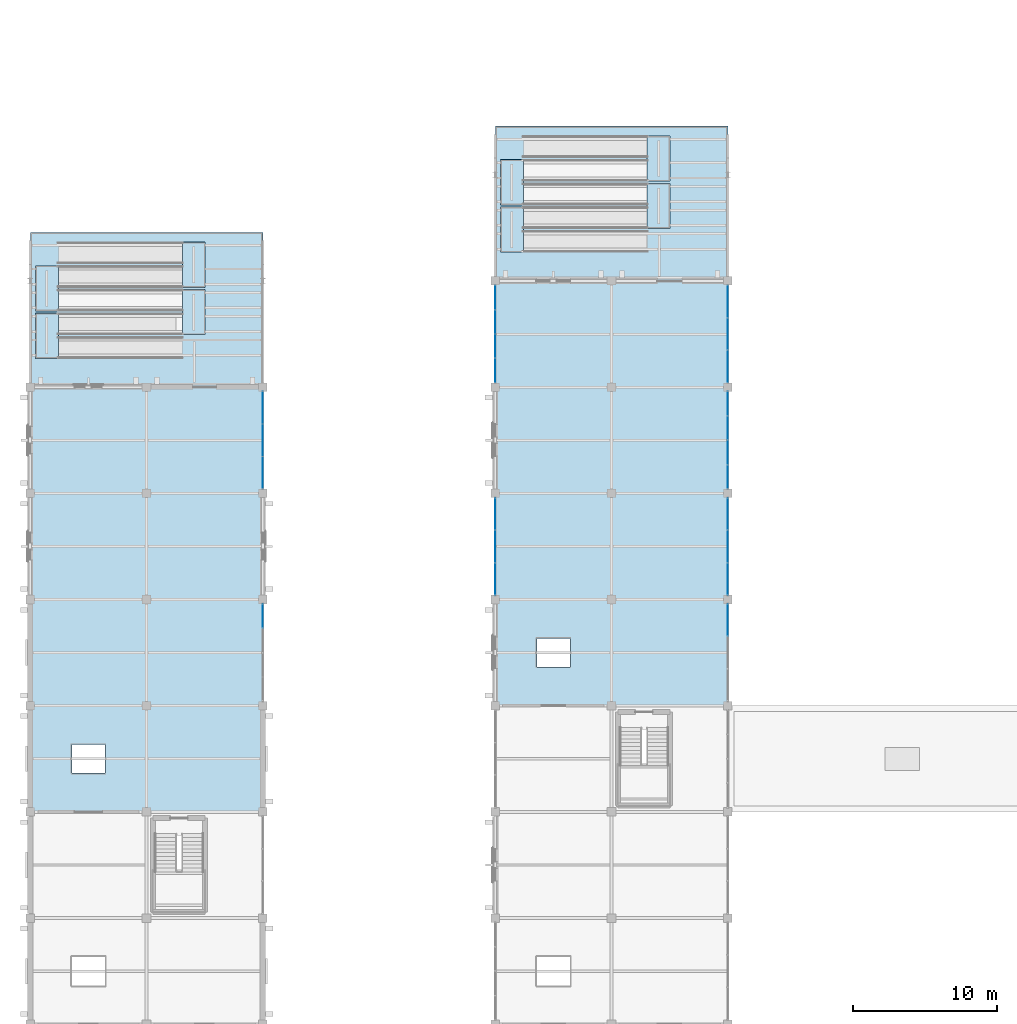
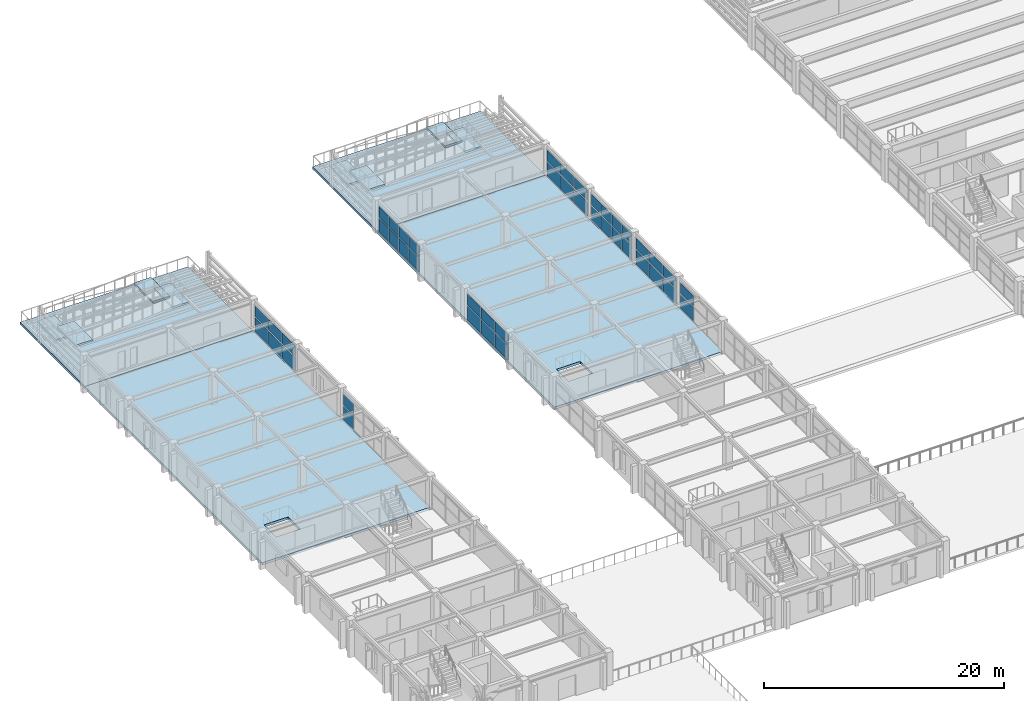
# One storey, part 96 of 121: 44 plates, 12 slabs, 8 elements without a shape of their own.
"""IFC4 building model written with IfcOpenShell, lengths in metres."""

from ifc_helpers import new_model, si_unit, direction, frame, origin, origin_2d, place, context, subcontext, project, spatial, polyline, rectangle, outline, extrude, material, layer, layer_set, type_object, element, aggregate, save


model = new_model("IFC4")

# Units and contexts
model_context = context("Model", 3, precision=1e-05, world=origin(), true_north=direction((0.0, 1.0)))
body_context = subcontext(model_context, "Body", "Model", "MODEL_VIEW")
ifc_project = project(units=[si_unit("LENGTHUNIT", "METRE"), si_unit("AREAUNIT", "SQUARE_METRE"), si_unit("VOLUMEUNIT", "CUBIC_METRE"), si_unit("PLANEANGLEUNIT", "RADIAN"), si_unit("MASSUNIT", "GRAM", prefix="KILO")], contexts=[model_context])

# Site, building, storey
site_placement = place(None, origin())
site = spatial("IfcSite", under=ifc_project, at=site_placement, CompositionType="ELEMENT")
building_placement = place(site_placement, origin())
building = spatial("IfcBuilding", under=site, at=building_placement, Name="Cimatlan Art Gallery", CompositionType="ELEMENT")
storey_placement = place(building_placement, frame((0.0, 0.0, 10.199951171875)))
storey = spatial("IfcBuildingStorey", under=building, at=storey_placement, Name="L02", CompositionType="ELEMENT", Elevation=10.199951171875)

# Curtain wall, plate
ifc_material_1 = material(Name="Anodised bronze unitised curtain wall")
curtain_wall_type_1 = type_object("IfcCurtainWallType", Name="CW-V-06792X02823-B4", PredefinedType="NOTDEFINED", material=ifc_material_1)
curtain_wall_1_placement = place(storey_placement, origin())
curtain_wall_1 = element("IfcCurtainWall", 1, at=curtain_wall_1_placement, inside=storey, type_object=curtain_wall_type_1, Name="CW-L02-01-08-E", PredefinedType="NOTDEFINED")
ifc_material_2 = material(Name="Low-E insulated double glazing", Category="glass")
ifc_layer_1 = layer(ifc_material_2, 0.028076171875)
ifc_layer_set_1 = layer_set([ifc_layer_1], Name="Low-E insulated double glazing")
plate_type_1 = type_object("IfcPlateType", Name="PNL-1640X1058", PredefinedType="CURTAIN_PANEL", material=ifc_layer_set_1)
plate_1_placement = place(storey_placement, frame((18.199951171875, 67.14697265625, 1.64306640625), z_axis=(0.0, 0.0, 1.0), x_axis=(0.0, -1.0, 0.0)))
plate_1 = element("IfcPlate", 2, at=plate_1_placement, type_object=plate_type_1, Name="CW-L02-01-08-E-P12", PredefinedType="CURTAIN_PANEL", context=body_context, shape_type="SweptSolid", body=[
    extrude(rectangle(XDim=1.639892578125, YDim=0.028076171875, at=origin_2d()), origin(), (0.0, 0.0, 1.0), 1.05810546875),
])

# Curtain wall, plates
curtain_wall_2_placement = place(storey_placement, origin())
curtain_wall_2 = element("IfcCurtainWall", 3, at=curtain_wall_2_placement, inside=storey, type_object=curtain_wall_type_1, Name="CW-L02-04-11-W", PredefinedType="NOTDEFINED")
plate_2_placement = place(storey_placement, frame((34.39990234375, 84.2529296875, 1.64306640625), z_axis=(0.0, 0.0, 1.0), x_axis=(0.0, 1.0, 0.0)))
plate_2 = element("IfcPlate", 4, at=plate_2_placement, type_object=plate_type_1, Name="CW-L02-04-11-W-P12", PredefinedType="CURTAIN_PANEL", context=body_context, shape_type="SweptSolid", body=[
    extrude(rectangle(XDim=1.639892578125, YDim=0.028076171875, at=origin_2d()), origin(), (0.0, 0.0, 1.0), 1.05810546875),
])
plate_3_placement = place(storey_placement, frame((34.39990234375, 85.950927734375, 1.64306640625), z_axis=(0.0, 0.0, 1.0), x_axis=(0.0, 1.0, 0.0)))
plate_3 = element("IfcPlate", 5, at=plate_3_placement, type_object=plate_type_1, Name="CW-L02-04-11-W-P22", PredefinedType="CURTAIN_PANEL", context=body_context, shape_type="SweptSolid", body=[
    extrude(rectangle(XDim=1.639892578125, YDim=0.028076171875, at=origin_2d()), origin(), (0.0, 0.0, 1.0), 1.05810546875),
])
plate_4_placement = place(storey_placement, frame((34.39990234375, 87.64892578125, 1.64306640625), z_axis=(0.0, 0.0, 1.0), x_axis=(0.0, 1.0, 0.0)))
plate_4 = element("IfcPlate", 6, at=plate_4_placement, type_object=plate_type_1, Name="CW-L02-04-11-W-P32", PredefinedType="CURTAIN_PANEL", context=body_context, shape_type="SweptSolid", body=[
    extrude(rectangle(XDim=1.639892578125, YDim=0.028076171875, at=origin_2d()), origin(), (0.0, 0.0, 1.0), 1.05810546875),
])
plate_5_placement = place(storey_placement, frame((34.39990234375, 89.346923828125, 1.64306640625), z_axis=(0.0, 0.0, 1.0), x_axis=(0.0, 1.0, 0.0)))
plate_5 = element("IfcPlate", 7, at=plate_5_placement, type_object=plate_type_1, Name="CW-L02-04-11-W-P42", PredefinedType="CURTAIN_PANEL", context=body_context, shape_type="SweptSolid", body=[
    extrude(rectangle(XDim=1.639892578125, YDim=0.028076171875, at=origin_2d()), origin(), (0.0, 0.0, 1.0), 1.05810546875),
])

curtain_wall_type_2 = type_object("IfcCurtainWallType", Name="CW-V-06792X02883-B4", PredefinedType="NOTDEFINED", material=ifc_material_1)
curtain_wall_3_placement = place(storey_placement, origin())
curtain_wall_3 = element("IfcCurtainWall", 8, at=curtain_wall_3_placement, inside=storey, type_object=curtain_wall_type_2, Name="CW-L02-05-10-E", PredefinedType="NOTDEFINED")
ifc_layer_2 = layer(ifc_material_2, 0.028076171875)
ifc_layer_set_2 = layer_set([ifc_layer_2], Name="Low-E insulated double glazing")
plate_type_2 = type_object("IfcPlateType", Name="PNL-1640X1085", PredefinedType="CURTAIN_PANEL", material=ifc_layer_set_2)
plate_6_placement = place(storey_placement, frame((50.60009765625, 81.947021484375, 1.67626953125), z_axis=(0.0, 0.0, 1.0), x_axis=(0.0, -1.0, 0.0)))
plate_6 = element("IfcPlate", 9, at=plate_6_placement, type_object=plate_type_2, Name="CW-L02-05-10-E-P12", PredefinedType="CURTAIN_PANEL", context=body_context, shape_type="SweptSolid", body=[
    extrude(rectangle(XDim=1.639892578125, YDim=0.028076171875, at=origin_2d()), origin(), (0.0, 0.0, 1.0), 1.0849609375),
])
plate_7_placement = place(storey_placement, frame((50.60009765625, 80.2490234375, 1.67626953125), z_axis=(0.0, 0.0, 1.0), x_axis=(0.0, -1.0, 0.0)))
plate_7 = element("IfcPlate", 10, at=plate_7_placement, type_object=plate_type_2, Name="CW-L02-05-10-E-P22", PredefinedType="CURTAIN_PANEL", context=body_context, shape_type="SweptSolid", body=[
    extrude(rectangle(XDim=1.639892578125, YDim=0.028076171875, at=origin_2d()), origin(), (0.0, 0.0, 1.0), 1.0849609375),
])
plate_8_placement = place(storey_placement, frame((50.60009765625, 78.551025390625, 1.67626953125), z_axis=(0.0, 0.0, 1.0), x_axis=(0.0, -1.0, 0.0)))
plate_8 = element("IfcPlate", 11, at=plate_8_placement, type_object=plate_type_2, Name="CW-L02-05-10-E-P32", PredefinedType="CURTAIN_PANEL", context=body_context, shape_type="SweptSolid", body=[
    extrude(rectangle(XDim=1.639892578125, YDim=0.028076171875, at=origin_2d()), origin(), (0.0, 0.0, 1.0), 1.0849609375),
])
plate_9_placement = place(storey_placement, frame((50.60009765625, 76.85302734375, 1.67626953125), z_axis=(0.0, 0.0, 1.0), x_axis=(0.0, -1.0, 0.0)))
plate_9 = element("IfcPlate", 12, at=plate_9_placement, type_object=plate_type_2, Name="CW-L02-05-10-E-P42", PredefinedType="CURTAIN_PANEL", context=body_context, shape_type="SweptSolid", body=[
    extrude(rectangle(XDim=1.639892578125, YDim=0.028076171875, at=origin_2d()), origin(), (0.0, 0.0, 1.0), 1.0849609375),
])

# Plate
ifc_layer_3 = layer(ifc_material_2, 0.028076171875)
ifc_layer_set_3 = layer_set([ifc_layer_3], Name="Low-E insulated double glazing")
plate_type_3 = type_object("IfcPlateType", Name="PNL-1640X1397", PredefinedType="CURTAIN_PANEL", material=ifc_layer_set_3)
plate_10_placement = place(storey_placement, frame((18.199951171875, 67.14697265625, 0.1220703125), z_axis=(0.0, 0.0, 1.0), x_axis=(0.0, -1.0, 0.0)))
plate_10 = element("IfcPlate", 13, at=plate_10_placement, type_object=plate_type_3, Name="CW-L02-01-08-E-P11", PredefinedType="CURTAIN_PANEL", context=body_context, shape_type="SweptSolid", body=[
    extrude(rectangle(XDim=1.639892578125, YDim=0.028076171875, at=origin_2d()), origin(), (0.0, 0.0, 1.0), 1.39697265625),
])

aggregate(curtain_wall_1, [plate_10, plate_1])

plate_11_placement = place(storey_placement, frame((34.39990234375, 84.2529296875, 0.1220703125), z_axis=(0.0, 0.0, 1.0), x_axis=(0.0, 1.0, 0.0)))
plate_11 = element("IfcPlate", 14, at=plate_11_placement, type_object=plate_type_3, Name="CW-L02-04-11-W-P11", PredefinedType="CURTAIN_PANEL", context=body_context, shape_type="SweptSolid", body=[
    extrude(rectangle(XDim=1.639892578125, YDim=0.028076171875, at=origin_2d()), origin(), (0.0, 0.0, 1.0), 1.39697265625),
])

plate_12_placement = place(storey_placement, frame((34.39990234375, 85.950927734375, 0.1220703125), z_axis=(0.0, 0.0, 1.0), x_axis=(0.0, 1.0, 0.0)))
plate_12 = element("IfcPlate", 15, at=plate_12_placement, type_object=plate_type_3, Name="CW-L02-04-11-W-P21", PredefinedType="CURTAIN_PANEL", context=body_context, shape_type="SweptSolid", body=[
    extrude(rectangle(XDim=1.639892578125, YDim=0.028076171875, at=origin_2d()), origin(), (0.0, 0.0, 1.0), 1.39697265625),
])

plate_13_placement = place(storey_placement, frame((34.39990234375, 87.64892578125, 0.1220703125), z_axis=(0.0, 0.0, 1.0), x_axis=(0.0, 1.0, 0.0)))
plate_13 = element("IfcPlate", 16, at=plate_13_placement, type_object=plate_type_3, Name="CW-L02-04-11-W-P31", PredefinedType="CURTAIN_PANEL", context=body_context, shape_type="SweptSolid", body=[
    extrude(rectangle(XDim=1.639892578125, YDim=0.028076171875, at=origin_2d()), origin(), (0.0, 0.0, 1.0), 1.39697265625),
])

plate_14_placement = place(storey_placement, frame((34.39990234375, 89.346923828125, 0.1220703125), z_axis=(0.0, 0.0, 1.0), x_axis=(0.0, 1.0, 0.0)))
plate_14 = element("IfcPlate", 17, at=plate_14_placement, type_object=plate_type_3, Name="CW-L02-04-11-W-P41", PredefinedType="CURTAIN_PANEL", context=body_context, shape_type="SweptSolid", body=[
    extrude(rectangle(XDim=1.639892578125, YDim=0.028076171875, at=origin_2d()), origin(), (0.0, 0.0, 1.0), 1.39697265625),
])

aggregate(curtain_wall_2, [plate_11, plate_2, plate_12, plate_3, plate_13, plate_4, plate_14, plate_5])

ifc_layer_4 = layer(ifc_material_2, 0.028076171875)
ifc_layer_set_4 = layer_set([ifc_layer_4], Name="Low-E insulated double glazing")
plate_type_4 = type_object("IfcPlateType", Name="PNL-1640X1431", PredefinedType="CURTAIN_PANEL", material=ifc_layer_set_4)
plate_15_placement = place(storey_placement, frame((50.60009765625, 81.947021484375, 0.1220703125), z_axis=(0.0, 0.0, 1.0), x_axis=(0.0, -1.0, 0.0)))
plate_15 = element("IfcPlate", 18, at=plate_15_placement, type_object=plate_type_4, Name="CW-L02-05-10-E-P11", PredefinedType="CURTAIN_PANEL", context=body_context, shape_type="SweptSolid", body=[
    extrude(rectangle(XDim=1.639892578125, YDim=0.028076171875, at=origin_2d()), origin(), (0.0, 0.0, 1.0), 1.430908203125),
])

plate_16_placement = place(storey_placement, frame((50.60009765625, 80.2490234375, 0.1220703125), z_axis=(0.0, 0.0, 1.0), x_axis=(0.0, -1.0, 0.0)))
plate_16 = element("IfcPlate", 19, at=plate_16_placement, type_object=plate_type_4, Name="CW-L02-05-10-E-P21", PredefinedType="CURTAIN_PANEL", context=body_context, shape_type="SweptSolid", body=[
    extrude(rectangle(XDim=1.639892578125, YDim=0.028076171875, at=origin_2d()), origin(), (0.0, 0.0, 1.0), 1.430908203125),
])

plate_17_placement = place(storey_placement, frame((50.60009765625, 78.551025390625, 0.1220703125), z_axis=(0.0, 0.0, 1.0), x_axis=(0.0, -1.0, 0.0)))
plate_17 = element("IfcPlate", 20, at=plate_17_placement, type_object=plate_type_4, Name="CW-L02-05-10-E-P31", PredefinedType="CURTAIN_PANEL", context=body_context, shape_type="SweptSolid", body=[
    extrude(rectangle(XDim=1.639892578125, YDim=0.028076171875, at=origin_2d()), origin(), (0.0, 0.0, 1.0), 1.430908203125),
])

plate_18_placement = place(storey_placement, frame((50.60009765625, 76.85302734375, 0.1220703125), z_axis=(0.0, 0.0, 1.0), x_axis=(0.0, -1.0, 0.0)))
plate_18 = element("IfcPlate", 21, at=plate_18_placement, type_object=plate_type_4, Name="CW-L02-05-10-E-P41", PredefinedType="CURTAIN_PANEL", context=body_context, shape_type="SweptSolid", body=[
    extrude(rectangle(XDim=1.639892578125, YDim=0.028076171875, at=origin_2d()), origin(), (0.0, 0.0, 1.0), 1.430908203125),
])

aggregate(curtain_wall_3, [plate_15, plate_6, plate_16, plate_7, plate_17, plate_8, plate_18, plate_9])

# Curtain wall, plate
curtain_wall_type_3 = type_object("IfcCurtainWallType", Name="CW-V-06792X02823-B3", PredefinedType="NOTDEFINED", material=ifc_material_1)
curtain_wall_4_placement = place(storey_placement, origin())
curtain_wall_4 = element("IfcCurtainWall", 22, at=curtain_wall_4_placement, inside=storey, type_object=curtain_wall_type_3, Name="CW-L02-05-08-E", PredefinedType="NOTDEFINED")
ifc_layer_5 = layer(ifc_material_2, 0.028076171875)
ifc_layer_set_5 = layer_set([ifc_layer_5], Name="Low-E insulated double glazing")
plate_type_5 = type_object("IfcPlateType", Name="PNL-2206X1058", PredefinedType="CURTAIN_PANEL", material=ifc_layer_set_5)
plate_19_placement = place(storey_placement, frame((50.60009765625, 66.864013671875, 1.64306640625), z_axis=(0.0, 0.0, 1.0), x_axis=(0.0, -1.0, 0.0)))
plate_19 = element("IfcPlate", 23, at=plate_19_placement, type_object=plate_type_5, Name="CW-L02-05-08-E-P12", PredefinedType="CURTAIN_PANEL", context=body_context, shape_type="SweptSolid", body=[
    extrude(rectangle(XDim=2.2060546875, YDim=0.028076171875, at=origin_2d()), origin(), (0.0, 0.0, 1.0), 1.05810546875),
])

# Curtain wall, plates
curtain_wall_type_4 = type_object("IfcCurtainWallType", Name="CW-V-06792X02853-B3", PredefinedType="NOTDEFINED", material=ifc_material_1)
curtain_wall_5_placement = place(storey_placement, origin())
curtain_wall_5 = element("IfcCurtainWall", 24, at=curtain_wall_5_placement, inside=storey, type_object=curtain_wall_type_4, Name="CW-L02-04-09-W", PredefinedType="NOTDEFINED")
ifc_layer_6 = layer(ifc_material_2, 0.028076171875)
ifc_layer_set_6 = layer_set([ifc_layer_6], Name="Low-E insulated double glazing")
plate_type_6 = type_object("IfcPlateType", Name="PNL-2206X1071", PredefinedType="CURTAIN_PANEL", material=ifc_layer_set_6)
plate_20_placement = place(storey_placement, frame((34.39990234375, 69.736083984375, 1.65966796875), z_axis=(0.0, 0.0, 1.0), x_axis=(0.0, 1.0, 0.0)))
plate_20 = element("IfcPlate", 25, at=plate_20_placement, type_object=plate_type_6, Name="CW-L02-04-09-W-P12", PredefinedType="CURTAIN_PANEL", context=body_context, shape_type="SweptSolid", body=[
    extrude(rectangle(XDim=2.2060546875, YDim=0.028076171875, at=origin_2d()), origin(), (0.0, 0.0, 1.0), 1.071044921875),
])
plate_21_placement = place(storey_placement, frame((34.39990234375, 72.0, 1.65966796875), z_axis=(0.0, 0.0, 1.0), x_axis=(0.0, 1.0, 0.0)))
plate_21 = element("IfcPlate", 26, at=plate_21_placement, type_object=plate_type_6, Name="CW-L02-04-09-W-P22", PredefinedType="CURTAIN_PANEL", context=body_context, shape_type="SweptSolid", body=[
    extrude(rectangle(XDim=2.2060546875, YDim=0.028076171875, at=origin_2d()), origin(), (0.0, 0.0, 1.0), 1.071044921875),
])
plate_22_placement = place(storey_placement, frame((34.39990234375, 74.263916015625, 1.65966796875), z_axis=(0.0, 0.0, 1.0), x_axis=(0.0, 1.0, 0.0)))
plate_22 = element("IfcPlate", 27, at=plate_22_placement, type_object=plate_type_6, Name="CW-L02-04-09-W-P32", PredefinedType="CURTAIN_PANEL", context=body_context, shape_type="SweptSolid", body=[
    extrude(rectangle(XDim=2.2060546875, YDim=0.028076171875, at=origin_2d()), origin(), (0.0, 0.0, 1.0), 1.071044921875),
])

curtain_wall_type_5 = type_object("IfcCurtainWallType", Name="CW-V-06792X02868-B3", PredefinedType="NOTDEFINED", material=ifc_material_1)
curtain_wall_6_placement = place(storey_placement, origin())
curtain_wall_6 = element("IfcCurtainWall", 28, at=curtain_wall_6_placement, inside=storey, type_object=curtain_wall_type_5, Name="CW-L02-05-11-E", PredefinedType="NOTDEFINED")
ifc_layer_7 = layer(ifc_material_2, 0.028076171875)
ifc_layer_set_7 = layer_set([ifc_layer_7], Name="Low-E insulated double glazing")
plate_type_7 = type_object("IfcPlateType", Name="PNL-2206X1078", PredefinedType="CURTAIN_PANEL", material=ifc_layer_set_7)
plate_23_placement = place(storey_placement, frame((50.60009765625, 89.06396484375, 1.66796875), z_axis=(0.0, 0.0, 1.0), x_axis=(0.0, -1.0, 0.0)))
plate_23 = element("IfcPlate", 29, at=plate_23_placement, type_object=plate_type_7, Name="CW-L02-05-11-E-P12", PredefinedType="CURTAIN_PANEL", context=body_context, shape_type="SweptSolid", body=[
    extrude(rectangle(XDim=2.2060546875, YDim=0.028076171875, at=origin_2d()), origin(), (0.0, 0.0, 1.0), 1.077880859375),
])
plate_24_placement = place(storey_placement, frame((50.60009765625, 86.800048828125, 1.66796875), z_axis=(0.0, 0.0, 1.0), x_axis=(0.0, -1.0, 0.0)))
plate_24 = element("IfcPlate", 30, at=plate_24_placement, type_object=plate_type_7, Name="CW-L02-05-11-E-P22", PredefinedType="CURTAIN_PANEL", context=body_context, shape_type="SweptSolid", body=[
    extrude(rectangle(XDim=2.2060546875, YDim=0.028076171875, at=origin_2d()), origin(), (0.0, 0.0, 1.0), 1.077880859375),
])
plate_25_placement = place(storey_placement, frame((50.60009765625, 84.535888671875, 1.66796875), z_axis=(0.0, 0.0, 1.0), x_axis=(0.0, -1.0, 0.0)))
plate_25 = element("IfcPlate", 31, at=plate_25_placement, type_object=plate_type_7, Name="CW-L02-05-11-E-P32", PredefinedType="CURTAIN_PANEL", context=body_context, shape_type="SweptSolid", body=[
    extrude(rectangle(XDim=2.2060546875, YDim=0.028076171875, at=origin_2d()), origin(), (0.0, 0.0, 1.0), 1.077880859375),
])

curtain_wall_type_6 = type_object("IfcCurtainWallType", Name="CW-V-06792X02883-B3", PredefinedType="NOTDEFINED", material=ifc_material_1)
curtain_wall_7_placement = place(storey_placement, origin())
curtain_wall_7 = element("IfcCurtainWall", 32, at=curtain_wall_7_placement, inside=storey, type_object=curtain_wall_type_6, Name="CW-L02-01-10-E", PredefinedType="NOTDEFINED")
ifc_layer_8 = layer(ifc_material_2, 0.028076171875)
ifc_layer_set_8 = layer_set([ifc_layer_8], Name="Low-E insulated double glazing")
plate_type_8 = type_object("IfcPlateType", Name="PNL-2206X1085", PredefinedType="CURTAIN_PANEL", material=ifc_layer_set_8)
plate_26_placement = place(storey_placement, frame((18.199951171875, 81.6640625, 1.67626953125), z_axis=(0.0, 0.0, 1.0), x_axis=(0.0, -1.0, 0.0)))
plate_26 = element("IfcPlate", 33, at=plate_26_placement, type_object=plate_type_8, Name="CW-L02-01-10-E-P12", PredefinedType="CURTAIN_PANEL", context=body_context, shape_type="SweptSolid", body=[
    extrude(rectangle(XDim=2.2060546875, YDim=0.028076171875, at=origin_2d()), origin(), (0.0, 0.0, 1.0), 1.0849609375),
])
plate_27_placement = place(storey_placement, frame((18.199951171875, 79.39990234375, 1.67626953125), z_axis=(0.0, 0.0, 1.0), x_axis=(0.0, -1.0, 0.0)))
plate_27 = element("IfcPlate", 34, at=plate_27_placement, type_object=plate_type_8, Name="CW-L02-01-10-E-P22", PredefinedType="CURTAIN_PANEL", context=body_context, shape_type="SweptSolid", body=[
    extrude(rectangle(XDim=2.2060546875, YDim=0.028076171875, at=origin_2d()), origin(), (0.0, 0.0, 1.0), 1.0849609375),
])
plate_28_placement = place(storey_placement, frame((18.199951171875, 77.135986328125, 1.67626953125), z_axis=(0.0, 0.0, 1.0), x_axis=(0.0, -1.0, 0.0)))
plate_28 = element("IfcPlate", 35, at=plate_28_placement, type_object=plate_type_8, Name="CW-L02-01-10-E-P32", PredefinedType="CURTAIN_PANEL", context=body_context, shape_type="SweptSolid", body=[
    extrude(rectangle(XDim=2.2060546875, YDim=0.028076171875, at=origin_2d()), origin(), (0.0, 0.0, 1.0), 1.0849609375),
])

curtain_wall_type_7 = type_object("IfcCurtainWallType", Name="CW-V-06792X02898-B3", PredefinedType="NOTDEFINED", material=ifc_material_1)
curtain_wall_8_placement = place(storey_placement, origin())
curtain_wall_8 = element("IfcCurtainWall", 36, at=curtain_wall_8_placement, inside=storey, type_object=curtain_wall_type_7, Name="CW-L02-05-09-E", PredefinedType="NOTDEFINED")
ifc_layer_9 = layer(ifc_material_2, 0.028076171875)
ifc_layer_set_9 = layer_set([ifc_layer_9], Name="Low-E insulated double glazing")
plate_type_9 = type_object("IfcPlateType", Name="PNL-2206X1091", PredefinedType="CURTAIN_PANEL", material=ifc_layer_set_9)
plate_29_placement = place(storey_placement, frame((50.60009765625, 74.263916015625, 1.68505859375), z_axis=(0.0, 0.0, 1.0), x_axis=(0.0, -1.0, 0.0)))
plate_29 = element("IfcPlate", 37, at=plate_29_placement, type_object=plate_type_9, Name="CW-L02-05-09-E-P12", PredefinedType="CURTAIN_PANEL", context=body_context, shape_type="SweptSolid", body=[
    extrude(rectangle(XDim=2.2060546875, YDim=0.028076171875, at=origin_2d()), origin(), (0.0, 0.0, 1.0), 1.091064453125),
])
plate_30_placement = place(storey_placement, frame((50.60009765625, 72.0, 1.68505859375), z_axis=(0.0, 0.0, 1.0), x_axis=(0.0, -1.0, 0.0)))
plate_30 = element("IfcPlate", 38, at=plate_30_placement, type_object=plate_type_9, Name="CW-L02-05-09-E-P22", PredefinedType="CURTAIN_PANEL", context=body_context, shape_type="SweptSolid", body=[
    extrude(rectangle(XDim=2.2060546875, YDim=0.028076171875, at=origin_2d()), origin(), (0.0, 0.0, 1.0), 1.091064453125),
])
plate_31_placement = place(storey_placement, frame((50.60009765625, 69.736083984375, 1.68505859375), z_axis=(0.0, 0.0, 1.0), x_axis=(0.0, -1.0, 0.0)))
plate_31 = element("IfcPlate", 39, at=plate_31_placement, type_object=plate_type_9, Name="CW-L02-05-09-E-P32", PredefinedType="CURTAIN_PANEL", context=body_context, shape_type="SweptSolid", body=[
    extrude(rectangle(XDim=2.2060546875, YDim=0.028076171875, at=origin_2d()), origin(), (0.0, 0.0, 1.0), 1.091064453125),
])

# Plate
ifc_layer_10 = layer(ifc_material_2, 0.028076171875)
ifc_layer_set_10 = layer_set([ifc_layer_10], Name="Low-E insulated double glazing")
plate_type_10 = type_object("IfcPlateType", Name="PNL-2206X1397", PredefinedType="CURTAIN_PANEL", material=ifc_layer_set_10)
plate_32_placement = place(storey_placement, frame((50.60009765625, 66.864013671875, 0.1220703125), z_axis=(0.0, 0.0, 1.0), x_axis=(0.0, -1.0, 0.0)))
plate_32 = element("IfcPlate", 40, at=plate_32_placement, type_object=plate_type_10, Name="CW-L02-05-08-E-P11", PredefinedType="CURTAIN_PANEL", context=body_context, shape_type="SweptSolid", body=[
    extrude(rectangle(XDim=2.2060546875, YDim=0.028076171875, at=origin_2d()), origin(), (0.0, 0.0, 1.0), 1.39697265625),
])

aggregate(curtain_wall_4, [plate_32, plate_19])

ifc_layer_11 = layer(ifc_material_2, 0.028076171875)
ifc_layer_set_11 = layer_set([ifc_layer_11], Name="Low-E insulated double glazing")
plate_type_11 = type_object("IfcPlateType", Name="PNL-2206X1414", PredefinedType="CURTAIN_PANEL", material=ifc_layer_set_11)
plate_33_placement = place(storey_placement, frame((34.39990234375, 69.736083984375, 0.121826171875), z_axis=(0.0, 0.0, 1.0), x_axis=(0.0, 1.0, 0.0)))
plate_33 = element("IfcPlate", 41, at=plate_33_placement, type_object=plate_type_11, Name="CW-L02-04-09-W-P11", PredefinedType="CURTAIN_PANEL", context=body_context, shape_type="SweptSolid", body=[
    extrude(rectangle(XDim=2.2060546875, YDim=0.028076171875, at=origin_2d()), origin(), (0.0, 0.0, 1.0), 1.4140625),
])

plate_34_placement = place(storey_placement, frame((34.39990234375, 72.0, 0.121826171875), z_axis=(0.0, 0.0, 1.0), x_axis=(0.0, 1.0, 0.0)))
plate_34 = element("IfcPlate", 42, at=plate_34_placement, type_object=plate_type_11, Name="CW-L02-04-09-W-P21", PredefinedType="CURTAIN_PANEL", context=body_context, shape_type="SweptSolid", body=[
    extrude(rectangle(XDim=2.2060546875, YDim=0.028076171875, at=origin_2d()), origin(), (0.0, 0.0, 1.0), 1.4140625),
])

plate_35_placement = place(storey_placement, frame((34.39990234375, 74.263916015625, 0.121826171875), z_axis=(0.0, 0.0, 1.0), x_axis=(0.0, 1.0, 0.0)))
plate_35 = element("IfcPlate", 43, at=plate_35_placement, type_object=plate_type_11, Name="CW-L02-04-09-W-P31", PredefinedType="CURTAIN_PANEL", context=body_context, shape_type="SweptSolid", body=[
    extrude(rectangle(XDim=2.2060546875, YDim=0.028076171875, at=origin_2d()), origin(), (0.0, 0.0, 1.0), 1.4140625),
])

aggregate(curtain_wall_5, [plate_33, plate_20, plate_34, plate_21, plate_35, plate_22])

ifc_layer_12 = layer(ifc_material_2, 0.028076171875)
ifc_layer_set_12 = layer_set([ifc_layer_12], Name="Low-E insulated double glazing")
plate_type_12 = type_object("IfcPlateType", Name="PNL-2206X1422", PredefinedType="CURTAIN_PANEL", material=ifc_layer_set_12)
plate_36_placement = place(storey_placement, frame((50.60009765625, 89.06396484375, 0.1220703125), z_axis=(0.0, 0.0, 1.0), x_axis=(0.0, -1.0, 0.0)))
plate_36 = element("IfcPlate", 44, at=plate_36_placement, type_object=plate_type_12, Name="CW-L02-05-11-E-P11", PredefinedType="CURTAIN_PANEL", context=body_context, shape_type="SweptSolid", body=[
    extrude(rectangle(XDim=2.2060546875, YDim=0.028076171875, at=origin_2d()), origin(), (0.0, 0.0, 1.0), 1.422119140625),
])

plate_37_placement = place(storey_placement, frame((50.60009765625, 86.800048828125, 0.1220703125), z_axis=(0.0, 0.0, 1.0), x_axis=(0.0, -1.0, 0.0)))
plate_37 = element("IfcPlate", 45, at=plate_37_placement, type_object=plate_type_12, Name="CW-L02-05-11-E-P21", PredefinedType="CURTAIN_PANEL", context=body_context, shape_type="SweptSolid", body=[
    extrude(rectangle(XDim=2.2060546875, YDim=0.028076171875, at=origin_2d()), origin(), (0.0, 0.0, 1.0), 1.422119140625),
])

plate_38_placement = place(storey_placement, frame((50.60009765625, 84.535888671875, 0.1220703125), z_axis=(0.0, 0.0, 1.0), x_axis=(0.0, -1.0, 0.0)))
plate_38 = element("IfcPlate", 46, at=plate_38_placement, type_object=plate_type_12, Name="CW-L02-05-11-E-P31", PredefinedType="CURTAIN_PANEL", context=body_context, shape_type="SweptSolid", body=[
    extrude(rectangle(XDim=2.2060546875, YDim=0.028076171875, at=origin_2d()), origin(), (0.0, 0.0, 1.0), 1.422119140625),
])

aggregate(curtain_wall_6, [plate_36, plate_23, plate_37, plate_24, plate_38, plate_25])

ifc_layer_13 = layer(ifc_material_2, 0.028076171875)
ifc_layer_set_13 = layer_set([ifc_layer_13], Name="Low-E insulated double glazing")
plate_type_13 = type_object("IfcPlateType", Name="PNL-2206X1431", PredefinedType="CURTAIN_PANEL", material=ifc_layer_set_13)
plate_39_placement = place(storey_placement, frame((18.199951171875, 81.6640625, 0.1220703125), z_axis=(0.0, 0.0, 1.0), x_axis=(0.0, -1.0, 0.0)))
plate_39 = element("IfcPlate", 47, at=plate_39_placement, type_object=plate_type_13, Name="CW-L02-01-10-E-P11", PredefinedType="CURTAIN_PANEL", context=body_context, shape_type="SweptSolid", body=[
    extrude(rectangle(XDim=2.2060546875, YDim=0.028076171875, at=origin_2d()), origin(), (0.0, 0.0, 1.0), 1.430908203125),
])

plate_40_placement = place(storey_placement, frame((18.199951171875, 79.39990234375, 0.1220703125), z_axis=(0.0, 0.0, 1.0), x_axis=(0.0, -1.0, 0.0)))
plate_40 = element("IfcPlate", 48, at=plate_40_placement, type_object=plate_type_13, Name="CW-L02-01-10-E-P21", PredefinedType="CURTAIN_PANEL", context=body_context, shape_type="SweptSolid", body=[
    extrude(rectangle(XDim=2.2060546875, YDim=0.028076171875, at=origin_2d()), origin(), (0.0, 0.0, 1.0), 1.430908203125),
])

plate_41_placement = place(storey_placement, frame((18.199951171875, 77.135986328125, 0.1220703125), z_axis=(0.0, 0.0, 1.0), x_axis=(0.0, -1.0, 0.0)))
plate_41 = element("IfcPlate", 49, at=plate_41_placement, type_object=plate_type_13, Name="CW-L02-01-10-E-P31", PredefinedType="CURTAIN_PANEL", context=body_context, shape_type="SweptSolid", body=[
    extrude(rectangle(XDim=2.2060546875, YDim=0.028076171875, at=origin_2d()), origin(), (0.0, 0.0, 1.0), 1.430908203125),
])

aggregate(curtain_wall_7, [plate_39, plate_26, plate_40, plate_27, plate_41, plate_28])

ifc_layer_14 = layer(ifc_material_2, 0.028076171875)
ifc_layer_set_14 = layer_set([ifc_layer_14], Name="Low-E insulated double glazing")
plate_type_14 = type_object("IfcPlateType", Name="PNL-2206X1439", PredefinedType="CURTAIN_PANEL", material=ifc_layer_set_14)
plate_42_placement = place(storey_placement, frame((50.60009765625, 74.263916015625, 0.1220703125), z_axis=(0.0, 0.0, 1.0), x_axis=(0.0, -1.0, 0.0)))
plate_42 = element("IfcPlate", 50, at=plate_42_placement, type_object=plate_type_14, Name="CW-L02-05-09-E-P11", PredefinedType="CURTAIN_PANEL", context=body_context, shape_type="SweptSolid", body=[
    extrude(rectangle(XDim=2.2060546875, YDim=0.028076171875, at=origin_2d()), origin(), (0.0, 0.0, 1.0), 1.43896484375),
])

plate_43_placement = place(storey_placement, frame((50.60009765625, 72.0, 0.1220703125), z_axis=(0.0, 0.0, 1.0), x_axis=(0.0, -1.0, 0.0)))
plate_43 = element("IfcPlate", 51, at=plate_43_placement, type_object=plate_type_14, Name="CW-L02-05-09-E-P21", PredefinedType="CURTAIN_PANEL", context=body_context, shape_type="SweptSolid", body=[
    extrude(rectangle(XDim=2.2060546875, YDim=0.028076171875, at=origin_2d()), origin(), (0.0, 0.0, 1.0), 1.43896484375),
])

plate_44_placement = place(storey_placement, frame((50.60009765625, 69.736083984375, 0.1220703125), z_axis=(0.0, 0.0, 1.0), x_axis=(0.0, -1.0, 0.0)))
plate_44 = element("IfcPlate", 52, at=plate_44_placement, type_object=plate_type_14, Name="CW-L02-05-09-E-P31", PredefinedType="CURTAIN_PANEL", context=body_context, shape_type="SweptSolid", body=[
    extrude(rectangle(XDim=2.2060546875, YDim=0.028076171875, at=origin_2d()), origin(), (0.0, 0.0, 1.0), 1.43896484375),
])

aggregate(curtain_wall_8, [plate_42, plate_29, plate_43, plate_30, plate_44, plate_31])

# Slabs
ifc_material_3 = material(Name="Concrete C35/45", Category="concrete")
ifc_layer_15 = layer(ifc_material_3, 0.239990234375)
ifc_layer_set_15 = layer_set([ifc_layer_15], Name="Concrete C35/45")
slab_type_1 = type_object("IfcSlabType", Name="SLB-FLR-L02", PredefinedType="FLOOR", material=ifc_layer_set_15)
slab_1_placement = place(storey_placement, frame((0.0, 0.0, -0.239990234375)))
element("IfcSlab", 53, at=slab_1_placement, inside=storey, type_object=slab_type_1, Name="SLB-L02-B1N", PredefinedType="FLOOR", context=body_context, shape_type="SweptSolid", body=[
    extrude(outline(polyline([(2.0, 53.5), (18.199951171875, 53.5), (18.199951171875, 83.10009765625), (2.0, 83.10009765625), (2.0, 53.5)]), holes=[polyline([(4.89990234375, 56.199951171875), (7.199951171875, 56.199951171875), (7.199951171875, 58.199951171875), (4.89990234375, 58.199951171875), (4.89990234375, 56.199951171875)])]), origin(), (0.0, 0.0, 1.0), 0.239990234375),
])
slab_2_placement = place(storey_placement, frame((0.0, 0.0, -0.239990234375)))
element("IfcSlab", 54, at=slab_2_placement, inside=storey, type_object=slab_type_1, Name="SLB-L02-B2N", PredefinedType="FLOOR", context=body_context, shape_type="SweptSolid", body=[
    extrude(outline(polyline([(34.39990234375, 60.89990234375), (50.60009765625, 60.89990234375), (50.60009765625, 90.5), (34.39990234375, 90.5), (34.39990234375, 60.89990234375)]), holes=[polyline([(37.300048828125, 63.60009765625), (39.60009765625, 63.60009765625), (39.60009765625, 65.60009765625), (37.300048828125, 65.60009765625), (37.300048828125, 63.60009765625)])]), origin(), (0.0, 0.0, 1.0), 0.239990234375),
])
ifc_layer_16 = layer(ifc_material_3, 0.199951171875)
ifc_layer_set_16 = layer_set([ifc_layer_16], Name="Concrete C35/45")
slab_type_2 = type_object("IfcSlabType", Name="SLB-RMP-LAND-200", PredefinedType="LANDING", material=ifc_layer_set_16)
slab_3_placement = place(storey_placement, frame((0.0, 0.0, 0.52001953125)))
element("IfcSlab", 55, at=slab_3_placement, inside=storey, type_object=slab_type_2, Name="RMP-TER-B1-LND1", PredefinedType="LANDING", context=body_context, shape_type="SweptSolid", body=[
    extrude(outline(polyline([(12.590087890625, 90.050048828125), (14.18994140625, 90.050048828125), (14.18994140625, 93.199951171875), (12.590087890625, 93.199951171875), (12.590087890625, 90.050048828125)])), origin(), (0.0, 0.0, 1.0), 0.199951171875),
])
slab_4_placement = place(storey_placement, frame((0.0, 0.0, 1.239990234375)))
element("IfcSlab", 56, at=slab_4_placement, inside=storey, type_object=slab_type_2, Name="RMP-TER-B1-LND2", PredefinedType="LANDING", context=body_context, shape_type="SweptSolid", body=[
    extrude(outline(polyline([(2.35009765625, 88.39990234375), (3.949951171875, 88.39990234375), (3.949951171875, 91.550048828125), (2.35009765625, 91.550048828125), (2.35009765625, 88.39990234375)])), origin(), (0.0, 0.0, 1.0), 0.199951171875),
])
slab_5_placement = place(storey_placement, frame((0.0, 0.0, 1.9599609375)))
element("IfcSlab", 57, at=slab_5_placement, inside=storey, type_object=slab_type_2, Name="RMP-TER-B1-LND3", PredefinedType="LANDING", context=body_context, shape_type="SweptSolid", body=[
    extrude(outline(polyline([(12.590087890625, 86.75), (14.18994140625, 86.75), (14.18994140625, 89.89990234375), (12.590087890625, 89.89990234375), (12.590087890625, 86.75)])), origin(), (0.0, 0.0, 1.0), 0.2001953125),
])
slab_6_placement = place(storey_placement, frame((0.0, 0.0, 2.679931640625)))
element("IfcSlab", 58, at=slab_6_placement, inside=storey, type_object=slab_type_2, Name="RMP-TER-B1-LND4", PredefinedType="LANDING", context=body_context, shape_type="SweptSolid", body=[
    extrude(outline(polyline([(2.35009765625, 85.10009765625), (3.949951171875, 85.10009765625), (3.949951171875, 88.25), (2.35009765625, 88.25), (2.35009765625, 85.10009765625)])), origin(), (0.0, 0.0, 1.0), 0.2001953125),
])
slab_7_placement = place(storey_placement, frame((0.0, 0.0, 0.52001953125)))
element("IfcSlab", 59, at=slab_7_placement, inside=storey, type_object=slab_type_2, Name="RMP-TER-B2-LND1", PredefinedType="LANDING", context=body_context, shape_type="SweptSolid", body=[
    extrude(outline(polyline([(44.989990234375, 97.449951171875), (46.590087890625, 97.449951171875), (46.590087890625, 100.60009765625), (44.989990234375, 100.60009765625), (44.989990234375, 97.449951171875)])), origin(), (0.0, 0.0, 1.0), 0.199951171875),
])
slab_8_placement = place(storey_placement, frame((0.0, 0.0, 1.239990234375)))
element("IfcSlab", 60, at=slab_8_placement, inside=storey, type_object=slab_type_2, Name="RMP-TER-B2-LND2", PredefinedType="LANDING", context=body_context, shape_type="SweptSolid", body=[
    extrude(outline(polyline([(34.75, 95.800048828125), (36.35009765625, 95.800048828125), (36.35009765625, 98.949951171875), (34.75, 98.949951171875), (34.75, 95.800048828125)])), origin(), (0.0, 0.0, 1.0), 0.199951171875),
])
slab_9_placement = place(storey_placement, frame((0.0, 0.0, 1.9599609375)))
element("IfcSlab", 61, at=slab_9_placement, inside=storey, type_object=slab_type_2, Name="RMP-TER-B2-LND3", PredefinedType="LANDING", context=body_context, shape_type="SweptSolid", body=[
    extrude(outline(polyline([(44.989990234375, 94.14990234375), (46.590087890625, 94.14990234375), (46.590087890625, 97.300048828125), (44.989990234375, 97.300048828125), (44.989990234375, 94.14990234375)])), origin(), (0.0, 0.0, 1.0), 0.2001953125),
])
slab_10_placement = place(storey_placement, frame((0.0, 0.0, 2.679931640625)))
element("IfcSlab", 62, at=slab_10_placement, inside=storey, type_object=slab_type_2, Name="RMP-TER-B2-LND4", PredefinedType="LANDING", context=body_context, shape_type="SweptSolid", body=[
    extrude(outline(polyline([(34.75, 92.5), (36.35009765625, 92.5), (36.35009765625, 95.64990234375), (34.75, 95.64990234375), (34.75, 92.5)])), origin(), (0.0, 0.0, 1.0), 0.2001953125),
])
ifc_layer_17 = layer(ifc_material_3, 0.219970703125)
ifc_layer_set_17 = layer_set([ifc_layer_17], Name="Concrete C35/45")
slab_type_3 = type_object("IfcSlabType", Name="SLB-TER-220", PredefinedType="FLOOR", material=ifc_layer_set_17)
slab_11_placement = place(storey_placement, frame((0.0, 0.0, -0.219970703125)))
element("IfcSlab", 63, at=slab_11_placement, inside=storey, type_object=slab_type_3, Name="TER-L02-B1", PredefinedType="FLOOR", context=body_context, shape_type="SweptSolid", body=[
    extrude(outline(polyline([(2.0, 83.10009765625), (18.199951171875, 83.10009765625), (18.199951171875, 93.882080078125), (2.0, 93.882080078125), (2.0, 83.10009765625)])), origin(), (0.0, 0.0, 1.0), 0.219970703125),
])
slab_12_placement = place(storey_placement, frame((0.0, 0.0, -0.219970703125)))
element("IfcSlab", 64, at=slab_12_placement, inside=storey, type_object=slab_type_3, Name="TER-L02-B2", PredefinedType="FLOOR", context=body_context, shape_type="SweptSolid", body=[
    extrude(outline(polyline([(34.39990234375, 90.5), (50.60009765625, 90.5), (50.60009765625, 101.281982421875), (34.39990234375, 101.281982421875), (34.39990234375, 90.5)])), origin(), (0.0, 0.0, 1.0), 0.219970703125),
])

save(model, "model.ifc")
